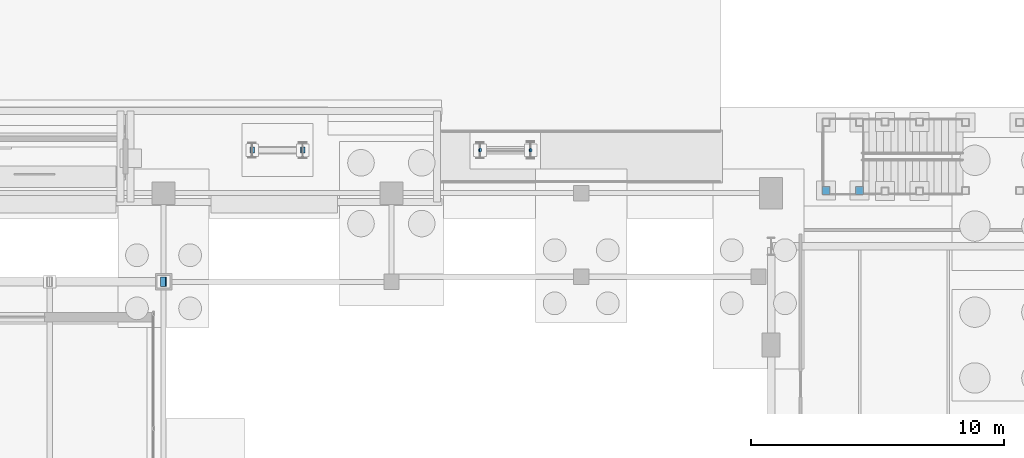
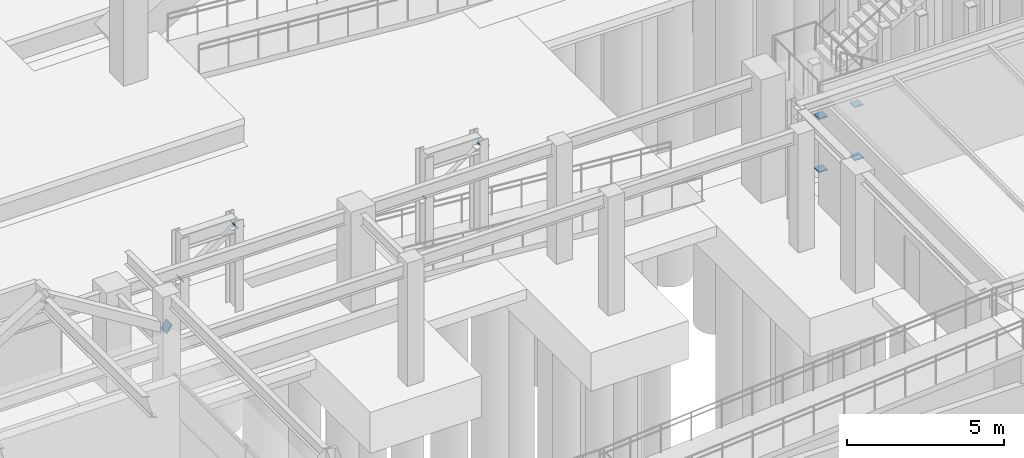
# One storey, part 123 of 160: 9 discrete accessories.
"""IFC4 building model written with IfcOpenShell, lengths in metres."""

from ifc_helpers import new_model, si_unit, direction, frame, origin, origin_2d, place, context, subcontext, project, spatial, rectangle, circle, extrude, material, element, save


model = new_model("IFC4")

# Units and contexts
model_context = context("Model", 3, precision=1e-05, world=origin(), true_north=direction((0.0, 1.0)))
body_context = subcontext(model_context, "Body", "Model", "MODEL_VIEW")
ifc_project = project(units=[si_unit("LENGTHUNIT", "METRE"), si_unit("AREAUNIT", "SQUARE_METRE"), si_unit("VOLUMEUNIT", "CUBIC_METRE"), si_unit("PLANEANGLEUNIT", "RADIAN"), si_unit("MASSUNIT", "GRAM", prefix="KILO")], contexts=[model_context])

# Site, building, storey
site_placement = place(None, origin())
site = spatial("IfcSite", under=ifc_project, at=site_placement, CompositionType="ELEMENT")
building_placement = place(site_placement, origin())
building = spatial("IfcBuilding", under=site, at=building_placement, Name="Marlcrest Central Station", CompositionType="ELEMENT")
storey_placement = place(building_placement, origin())
storey = spatial("IfcBuildingStorey", under=building, at=storey_placement, Name="L00", CompositionType="ELEMENT", Elevation=0.0)

# Discrete accessories
ifc_material = material(Name="Steel S355", Category="steel")
discrete_accessory_placement = place(storey_placement, frame((63.0126953125, 33.0, 5.192138671875), z_axis=(-0.851591684043, 0.0, 0.524205688322), x_axis=(0.0, -1.0, 0.0)))
element("IfcDiscreteAccessory", 1, at=discrete_accessory_placement, inside=storey, material=ifc_material, Name="endcap-mem-ST-02-L00-00060-s", ObjectType="END_CAP_PLATE", PredefinedType="BRACKET", context=body_context, shape_type="SweptSolid", body=[
    extrude(rectangle(XDim=0.365966796875, YDim=0.365966796875, at=origin_2d()), origin(), (0.0, 0.0, 1.0), 0.0400390625),
])
for number, where, z_axis, x_axis, name in (
    (2, (66.48779296875, 38.199951171875, 2.69140625), (0.819203731481, 0.0, 0.57350261231), (0.0, 1.0, 0.0), "endcap-mem-BF-06-L00-02550-s"),
    (3, (68.4794921875, 38.199951171875, 4.085693359375), (0.819203731481, 0.0, 0.57350261231), (0.0, 1.0, 0.0), "endcap-mem-BF-06-L00-02550-e"),
):
    element("IfcDiscreteAccessory", number, at=place(storey_placement, frame(where, z_axis=z_axis, x_axis=x_axis)), inside=storey, material=ifc_material, Name=name, ObjectType="END_CAP_PLATE", PredefinedType="BRACKET", context=body_context, shape_type="SweptSolid", body=[
        extrude(rectangle(XDim=0.236083984375, YDim=0.236083984375, at=origin_2d()), origin(), (0.0, 0.0, 1.0), 0.0400390625),
    ])
for number, where, z_axis, x_axis, name in (
    (4, (75.48779296875, 38.199951171875, 2.69140625), (0.819203731481, 0.0, 0.57350261231), (0.0, 1.0, 0.0), "endcap-mem-BF-07-L00-02552-s"),
    (5, (77.4794921875, 38.199951171875, 4.085693359375), (0.819203731481, 0.0, 0.57350261231), (0.0, 1.0, 0.0), "endcap-mem-BF-07-L00-02552-e"),
):
    element("IfcDiscreteAccessory", number, at=place(storey_placement, frame(where, z_axis=z_axis, x_axis=x_axis)), inside=storey, material=ifc_material, Name=name, ObjectType="END_CAP_PLATE", PredefinedType="BRACKET", context=body_context, shape_type="SweptSolid", body=[
        extrude(circle(Radius=0.077880859375, at=origin_2d()), origin(), (0.0, 0.0, 1.0), 0.0400390625),
    ])
for number, where, z_axis, x_axis, name in (
    (6, (89.169921875, 36.60009765625, -0.014892578125), (0.0, 0.0, 1.0), (1.0, 0.0, 0.0), "endcap-stcol-0002-891-366-s"),
    (7, (89.169921875, 36.60009765625, 2.05517578125), (0.0, 0.0, 1.0), (1.0, 0.0, 0.0), "endcap-stcol-0002-891-366-e"),
    (8, (90.489990234375, 36.60009765625, -0.014892578125), (0.0, 0.0, 1.0), (1.0, 0.0, 0.0), "endcap-stcol-0002-904-366-s"),
    (9, (90.489990234375, 36.60009765625, 2.05517578125), (0.0, 0.0, 1.0), (1.0, 0.0, 0.0), "endcap-stcol-0002-904-366-e"),
):
    element("IfcDiscreteAccessory", number, at=place(storey_placement, frame(where, z_axis=z_axis, x_axis=x_axis)), inside=storey, material=ifc_material, Name=name, ObjectType="END_CAP_PLATE", PredefinedType="BRACKET", context=body_context, shape_type="SweptSolid", body=[
        extrude(rectangle(XDim=0.31591796875, YDim=0.31591796875, at=origin_2d()), origin(), (0.0, 0.0, 1.0), 0.0400390625),
    ])

save(model, "model.ifc")
